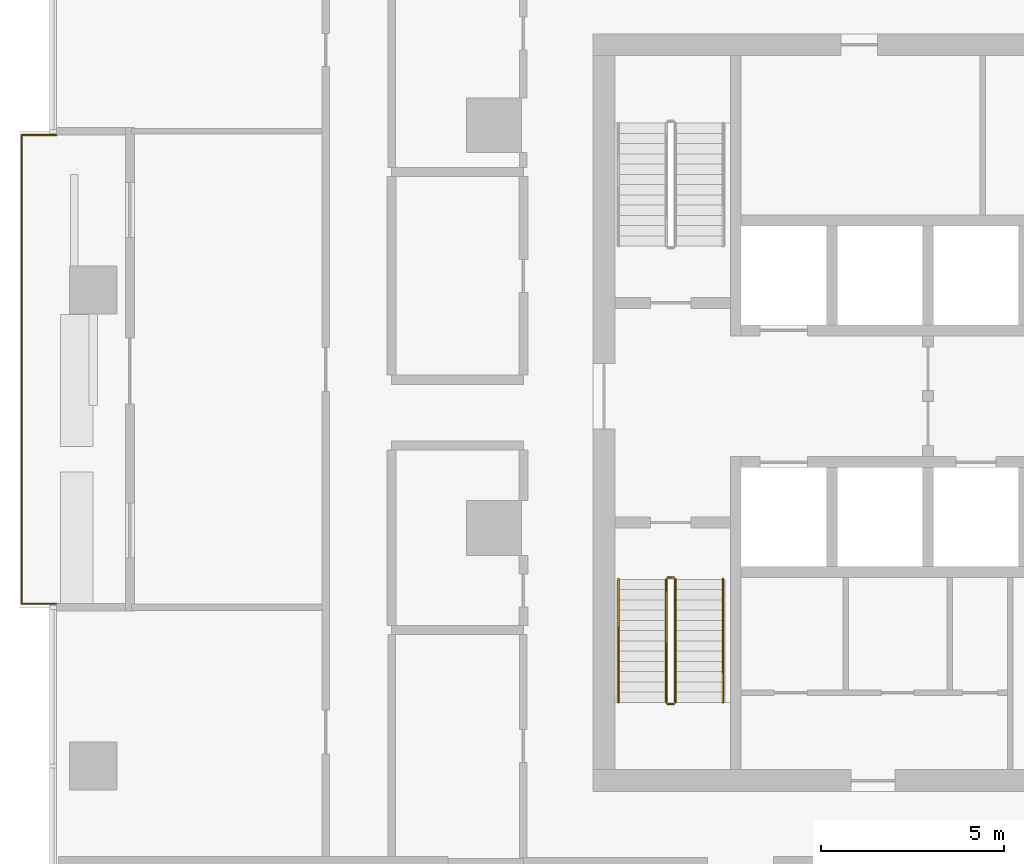
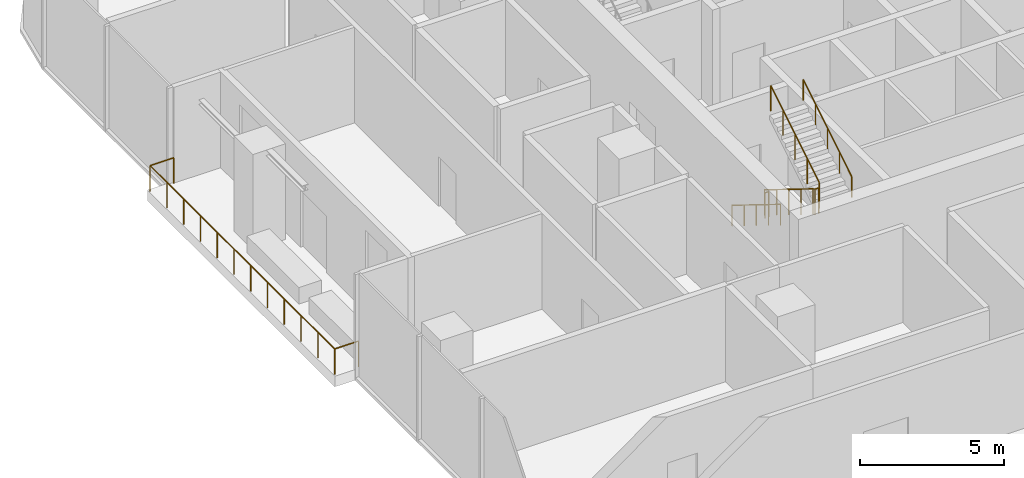
# One storey, part 12 of 15: 6 railings.
"""IFC4 building model written with IfcOpenShell, lengths in metres."""

from ifc_helpers import new_model, si_unit, direction, frame, origin, origin_2d, place, context, subcontext, project, spatial, circle, extrude, material, type_object, element, save


model = new_model("IFC4")

# Units and contexts
model_context = context("Model", 3, precision=1e-05, world=origin(), true_north=direction((0.0, 1.0)))
body_context = subcontext(model_context, "Body", "Model", "MODEL_VIEW")
ifc_project = project(units=[si_unit("LENGTHUNIT", "METRE"), si_unit("AREAUNIT", "SQUARE_METRE"), si_unit("VOLUMEUNIT", "CUBIC_METRE"), si_unit("PLANEANGLEUNIT", "RADIAN"), si_unit("MASSUNIT", "GRAM", prefix="KILO")], contexts=[model_context])

# Site, building, storey
site_placement = place(None, origin())
site = spatial("IfcSite", under=ifc_project, at=site_placement, CompositionType="ELEMENT")
building_placement = place(site_placement, origin())
building = spatial("IfcBuilding", under=site, at=building_placement, Name="Mopane Tessera Tower", CompositionType="ELEMENT")
storey_placement = place(building_placement, frame((0.0, 0.0, 112.60009765625)))
storey = spatial("IfcBuildingStorey", under=building, at=storey_placement, Name="L22", CompositionType="ELEMENT", Elevation=112.60009765625)

# Railings
ifc_material_1 = material(Name="Powder-coated steel balustrade", Category="steel")
railing_type_1 = type_object("IfcRailingType", Name="Escape stair guard 1100 mm", PredefinedType="GUARDRAIL", material=ifc_material_1)
railing_1_placement = place(storey_placement, frame((-12.39990234375, -1.39990234375, 0.173095703125)))
element("IfcRailing", 1, at=railing_1_placement, inside=storey, type_object=railing_type_1, Name="L22 ST1 stair guard 1", PredefinedType="GUARDRAIL", context=body_context, shape_type="SweptSolid", body=[
    extrude(circle(Radius=0.02392578125, at=origin_2d()), frame((0.0, 0.0, 1.076171875), z_axis=(0.0, -0.850623216509, 0.525775754039), x_axis=(1.0, 0.0, 0.0)), (0.0, 0.0, 1.0), 3.9501953125),
    extrude(circle(Radius=0.02392578125, at=origin_2d()), frame((0.0, -3.360107421875, 3.15283203125), z_axis=(0.705375805398, -0.708833529934, 0.0), x_axis=(0.708833529934, 0.705375805398, 0.0)), (0.0, 0.0, 1.0), 0.070556640625),
    extrude(circle(Radius=0.02392578125, at=origin_2d()), frame((0.0498046875, -3.41015625, 3.15283203125), z_axis=(1.0, 0.0, 0.0), x_axis=(0.0, 1.0, 0.0)), (0.0, 0.0, 1.0), 0.150146484375),
    extrude(circle(Radius=0.02099609375, at=origin_2d()), origin(), (0.0, 0.0, 1.0), 1.052001953125),
    extrude(circle(Radius=0.02099609375, at=origin_2d()), frame((0.0, -0.840087890625, 0.519287109375)), (0.0, 0.0, 1.0), 1.052001953125),
    extrude(circle(Radius=0.02099609375, at=origin_2d()), frame((0.0, -1.68017578125, 1.03857421875)), (0.0, 0.0, 1.0), 1.052001953125),
    extrude(circle(Radius=0.02099609375, at=origin_2d()), frame((0.0, -2.52001953125, 1.5576171875)), (0.0, 0.0, 1.0), 1.052001953125),
    extrude(circle(Radius=0.02099609375, at=origin_2d()), frame((0.0, -3.360107421875, 2.076904296875)), (0.0, 0.0, 1.0), 1.052001953125),
    extrude(circle(Radius=0.02099609375, at=origin_2d()), frame((0.0498046875, -3.41015625, 2.076904296875)), (0.0, 0.0, 1.0), 1.052001953125),
    extrude(circle(Radius=0.02099609375, at=origin_2d()), frame((0.199951171875, -3.41015625, 2.076904296875)), (0.0, 0.0, 1.0), 1.052001953125),
])
railing_2_placement = place(storey_placement, frame((-12.14990234375, -4.760009765625, 2.423095703125)))
element("IfcRailing", 2, at=railing_2_placement, inside=storey, type_object=railing_type_1, Name="L22 ST1 stair guard 2", PredefinedType="GUARDRAIL", context=body_context, shape_type="SweptSolid", body=[
    extrude(circle(Radius=0.02392578125, at=origin_2d()), frame((0.0, 0.0, 1.076171875), z_axis=(0.0, 0.850623216509, 0.525775754039), x_axis=(-1.0, 0.0, 0.0)), (0.0, 0.0, 1.0), 3.9501953125),
    extrude(circle(Radius=0.02099609375, at=origin_2d()), origin(), (0.0, 0.0, 1.0), 1.052001953125),
    extrude(circle(Radius=0.02099609375, at=origin_2d()), frame((0.0, 0.840087890625, 0.519287109375)), (0.0, 0.0, 1.0), 1.052001953125),
    extrude(circle(Radius=0.02099609375, at=origin_2d()), frame((0.0, 1.68017578125, 1.03857421875)), (0.0, 0.0, 1.0), 1.052001953125),
    extrude(circle(Radius=0.02099609375, at=origin_2d()), frame((0.0, 2.52001953125, 1.5576171875)), (0.0, 0.0, 1.0), 1.052001953125),
    extrude(circle(Radius=0.02099609375, at=origin_2d()), frame((0.0, 3.360107421875, 2.076904296875)), (0.0, 0.0, 1.0), 1.052001953125),
])
railing_3_placement = place(storey_placement, frame((-12.35009765625, -1.35009765625, 0.0)))
element("IfcRailing", 3, at=railing_3_placement, inside=storey, type_object=railing_type_1, Name="L22 ST1 stair guard 3", PredefinedType="GUARDRAIL", context=body_context, shape_type="SweptSolid", body=[
    extrude(circle(Radius=0.02392578125, at=origin_2d()), frame((0.0, 0.0, 1.076171875), z_axis=(1.0, 0.0, 0.0), x_axis=(0.0, 1.0, 0.0)), (0.0, 0.0, 1.0), 0.150146484375),
    extrude(circle(Radius=0.02099609375, at=origin_2d()), origin(), (0.0, 0.0, 1.0), 1.052001953125),
    extrude(circle(Radius=0.02099609375, at=origin_2d()), frame((0.150146484375, 0.0, 0.0)), (0.0, 0.0, 1.0), 1.052001953125),
])
ifc_material_2 = material(Name="Powder-coated steel balustrade", Category="steel")
railing_type_2 = type_object("IfcRailingType", Name="Escape stair handrail 900 mm", PredefinedType="HANDRAIL", material=ifc_material_2)
railing_4_placement = place(storey_placement, frame((-13.699951171875, -1.39990234375, 0.173095703125)))
element("IfcRailing", 4, at=railing_4_placement, inside=storey, type_object=railing_type_2, Name="L22 ST1 stair handrail 1", PredefinedType="HANDRAIL", context=body_context, shape_type="SweptSolid", body=[
    extrude(circle(Radius=0.02392578125, at=origin_2d()), frame((0.0, 0.0, 0.8759765625), z_axis=(0.0, -0.850623216509, 0.525775754039), x_axis=(1.0, 0.0, 0.0)), (0.0, 0.0, 1.0), 3.9501953125),
    extrude(circle(Radius=0.02099609375, at=origin_2d()), origin(), (0.0, 0.0, 1.0), 0.851806640625),
    extrude(circle(Radius=0.02099609375, at=origin_2d()), frame((0.0, -0.840087890625, 0.519287109375)), (0.0, 0.0, 1.0), 0.851806640625),
    extrude(circle(Radius=0.02099609375, at=origin_2d()), frame((0.0, -1.68017578125, 1.03857421875)), (0.0, 0.0, 1.0), 0.851806640625),
    extrude(circle(Radius=0.02099609375, at=origin_2d()), frame((0.0, -2.52001953125, 1.5576171875)), (0.0, 0.0, 1.0), 0.851806640625),
    extrude(circle(Radius=0.02099609375, at=origin_2d()), frame((0.0, -3.360107421875, 2.076904296875)), (0.0, 0.0, 1.0), 0.851806640625),
])
railing_5_placement = place(storey_placement, frame((-10.85009765625, -4.760009765625, 2.423095703125)))
element("IfcRailing", 5, at=railing_5_placement, inside=storey, type_object=railing_type_2, Name="L22 ST1 stair handrail 2", PredefinedType="HANDRAIL", context=body_context, shape_type="SweptSolid", body=[
    extrude(circle(Radius=0.02392578125, at=origin_2d()), frame((0.0, 0.0, 0.8759765625), z_axis=(0.0, 0.850623216509, 0.525775754039), x_axis=(-1.0, 0.0, 0.0)), (0.0, 0.0, 1.0), 3.9501953125),
    extrude(circle(Radius=0.02099609375, at=origin_2d()), origin(), (0.0, 0.0, 1.0), 0.851806640625),
    extrude(circle(Radius=0.02099609375, at=origin_2d()), frame((0.0, 0.840087890625, 0.519287109375)), (0.0, 0.0, 1.0), 0.851806640625),
    extrude(circle(Radius=0.02099609375, at=origin_2d()), frame((0.0, 1.68017578125, 1.03857421875)), (0.0, 0.0, 1.0), 0.851806640625),
    extrude(circle(Radius=0.02099609375, at=origin_2d()), frame((0.0, 2.52001953125, 1.5576171875)), (0.0, 0.0, 1.0), 0.851806640625),
    extrude(circle(Radius=0.02099609375, at=origin_2d()), frame((0.0, 3.360107421875, 2.076904296875)), (0.0, 0.0, 1.0), 0.851806640625),
])
ifc_material_3 = material(Name="Stainless steel S316", Category="steel")
railing_type_3 = type_object("IfcRailingType", Name="Terrace guard 1100", PredefinedType="GUARDRAIL", material=ifc_material_3)
railing_6_placement = place(storey_placement, frame((-29.050048828125, 10.7333984375, 0.0)))
element("IfcRailing", 6, at=railing_6_placement, inside=storey, type_object=railing_type_3, Name="e:nw:L22:N2:guard", PredefinedType="GUARDRAIL", context=body_context, shape_type="SweptSolid", body=[
    extrude(circle(Radius=0.02392578125, at=origin_2d()), frame((0.0, 0.0, 1.076171875), z_axis=(-1.0, 0.0, 0.0), x_axis=(0.0, -1.0, 0.0)), (0.0, 0.0, 1.0), 0.949951171875),
    extrude(circle(Radius=0.02392578125, at=origin_2d()), frame((-0.949951171875, 0.0, 1.076171875), z_axis=(0.0, -1.0, 0.0), x_axis=(1.0, 0.0, 0.0)), (0.0, 0.0, 1.0), 12.800048828125),
    extrude(circle(Radius=0.02392578125, at=origin_2d()), frame((-0.949951171875, -12.800048828125, 1.076171875), z_axis=(1.0, 0.0, 0.0), x_axis=(0.0, 1.0, 0.0)), (0.0, 0.0, 1.0), 0.949951171875),
    extrude(circle(Radius=0.02099609375, at=origin_2d()), origin(), (0.0, 0.0, 1.0), 1.052001953125),
    extrude(circle(Radius=0.02099609375, at=origin_2d()), frame((-0.949951171875, 0.0, 0.0)), (0.0, 0.0, 1.0), 1.052001953125),
    extrude(circle(Radius=0.02099609375, at=origin_2d()), frame((-0.949951171875, -1.16357421875, 0.0)), (0.0, 0.0, 1.0), 1.052001953125),
    extrude(circle(Radius=0.02099609375, at=origin_2d()), frame((-0.949951171875, -2.327392578125, 0.0)), (0.0, 0.0, 1.0), 1.052001953125),
    extrude(circle(Radius=0.02099609375, at=origin_2d()), frame((-0.949951171875, -3.490966796875, 0.0)), (0.0, 0.0, 1.0), 1.052001953125),
    extrude(circle(Radius=0.02099609375, at=origin_2d()), frame((-0.949951171875, -4.654541015625, 0.0)), (0.0, 0.0, 1.0), 1.052001953125),
    extrude(circle(Radius=0.02099609375, at=origin_2d()), frame((-0.949951171875, -5.818115234375, 0.0)), (0.0, 0.0, 1.0), 1.052001953125),
    extrude(circle(Radius=0.02099609375, at=origin_2d()), frame((-0.949951171875, -6.98193359375, 0.0)), (0.0, 0.0, 1.0), 1.052001953125),
    extrude(circle(Radius=0.02099609375, at=origin_2d()), frame((-0.949951171875, -8.1455078125, 0.0)), (0.0, 0.0, 1.0), 1.052001953125),
    extrude(circle(Radius=0.02099609375, at=origin_2d()), frame((-0.949951171875, -9.30908203125, 0.0)), (0.0, 0.0, 1.0), 1.052001953125),
    extrude(circle(Radius=0.02099609375, at=origin_2d()), frame((-0.949951171875, -10.47265625, 0.0)), (0.0, 0.0, 1.0), 1.052001953125),
    extrude(circle(Radius=0.02099609375, at=origin_2d()), frame((-0.949951171875, -11.636474609375, 0.0)), (0.0, 0.0, 1.0), 1.052001953125),
    extrude(circle(Radius=0.02099609375, at=origin_2d()), frame((-0.949951171875, -12.800048828125, 0.0)), (0.0, 0.0, 1.0), 1.052001953125),
    extrude(circle(Radius=0.02099609375, at=origin_2d()), frame((0.0, -12.800048828125, 0.0)), (0.0, 0.0, 1.0), 1.052001953125),
])

save(model, "model.ifc")
